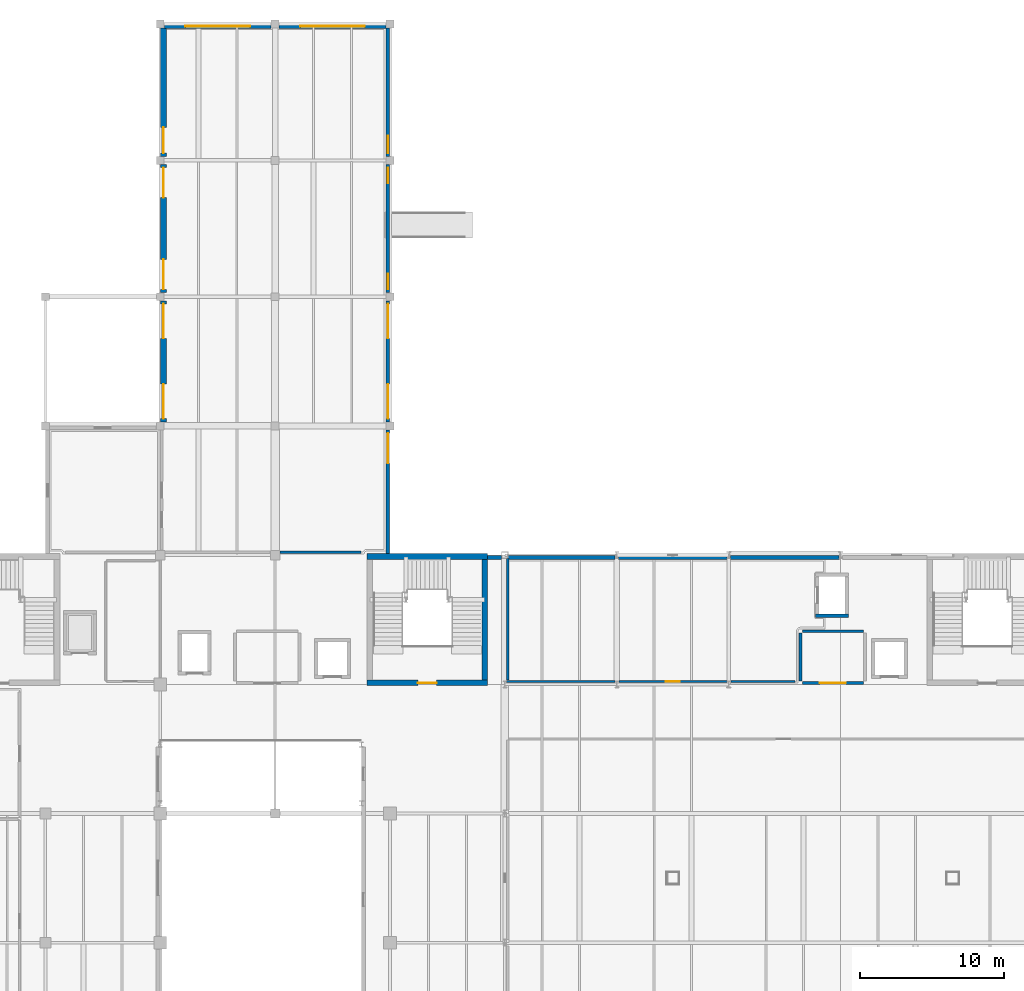
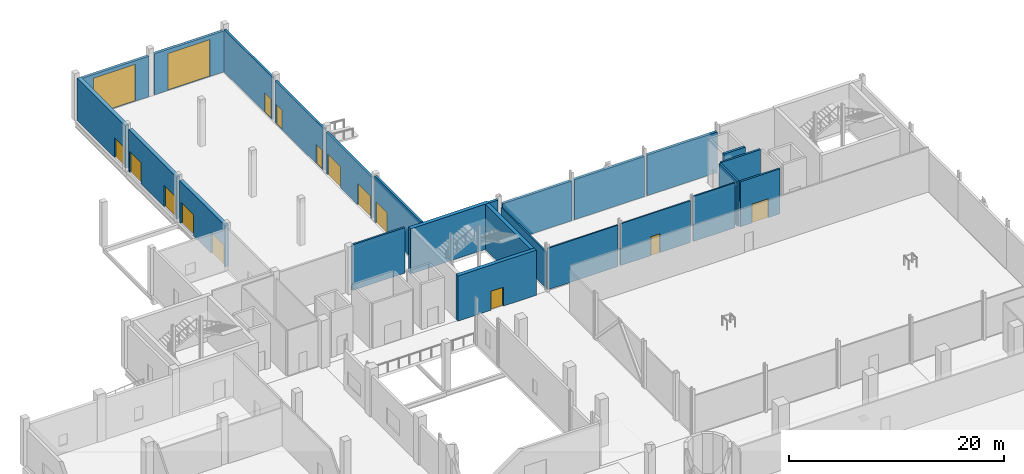
# One storey, part 45 of 57: 25 walls, 16 doors, 16 openings.
"""IFC4 building model written with IfcOpenShell, lengths in metres."""

import ifcopenshell
import ifcopenshell.guid

model = None  # the IFC model being written
_history = None  # IfcOwnerHistory: only IFC2X3 demands one
_inside = {}  # id of a spatial element -> (the spatial element, [elements in it])
_under = {}  # id of a project, library or spatial element -> (it, [spatial elements below it])
_declared = {}  # id of a project -> (the project, [libraries it declares])
_typed = {}  # id of a type object -> (the type object, [elements of that type])
_made_of = {}  # id of a material, layer set ... -> (it, [elements and type objects made of it])


def new_model(schema):
    """Start an empty IFC model of exactly this schema.

    Asked for "IFC4X3", IfcOpenShell would pick the latest addendum, in which some entities
    have other attributes; the version numbers below select the first issue.
    IFC2X3 requires an IfcOwnerHistory on every rooted entity: one is made here for all.
    """
    global model, _history
    if schema == "IFC4X3":
        model = ifcopenshell.file(schema_version=(4, 3, 0, 0))
    else:
        model = ifcopenshell.file(schema=schema)
    _inside.clear()
    _under.clear()
    _declared.clear()
    _typed.clear()
    _made_of.clear()
    _history = None
    if model.schema == "IFC2X3":
        org = make("IfcOrganization", Name="unknown")
        user = make(
            "IfcPersonAndOrganization",
            ThePerson=make("IfcPerson", FamilyName="unknown"),
            TheOrganization=org,
        )
        app = make(
            "IfcApplication",
            ApplicationDeveloper=org,
            Version="unknown",
            ApplicationFullName="unknown",
            ApplicationIdentifier="unknown",
        )
        _history = make(
            "IfcOwnerHistory",
            OwningUser=user,
            OwningApplication=app,
            ChangeAction="ADDED",
            CreationDate=0,
        )
    return model


def make(cls, **values):
    """One entity of the class cls with the attributes given. An attribute that is None is left unset."""
    return model.create_entity(
        cls, **{name: value for name, value in values.items() if value is not None}
    )


def rooted(cls, **values):
    """An entity with a GlobalId (a new one), such as an element, a storey or a relation."""
    return make(cls, GlobalId=ifcopenshell.guid.new(), OwnerHistory=_history, **values)


def si_unit(unit_type, name, prefix=None):
    """IfcSIUnit, for example si_unit("LENGTHUNIT", "METRE", prefix="MILLI")."""
    return make("IfcSIUnit", UnitType=unit_type, Prefix=prefix, Name=name)


def derived_unit(unit_type, elements):
    """IfcDerivedUnit: a product of units, each with its exponent."""
    return make(
        "IfcDerivedUnit",
        Elements=[
            make("IfcDerivedUnitElement", Unit=unit, Exponent=power)
            for unit, power in elements
        ],
        UnitType=unit_type,
    )


def assignment(units):
    """IfcUnitAssignment: the units of a project."""
    return None if units is None else make("IfcUnitAssignment", Units=units)


def point(xyz):
    """IfcCartesianPoint."""
    return None if xyz is None else make("IfcCartesianPoint", Coordinates=xyz)


def direction(xyz):
    """IfcDirection."""
    return None if xyz is None else make("IfcDirection", DirectionRatios=xyz)


def frame(location, z_axis=None, x_axis=None):
    """IfcAxis2Placement3D, a coordinate frame: its origin and axes. An axis left out is left unset."""
    return make(
        "IfcAxis2Placement3D",
        Location=point(location),
        Axis=direction(z_axis),
        RefDirection=direction(x_axis),
    )


def frame_2d(location, x_axis=None):
    """IfcAxis2Placement2D, a coordinate frame in the plane: its origin and x axis."""
    return make(
        "IfcAxis2Placement2D", Location=point(location), RefDirection=direction(x_axis)
    )


def origin():
    """The frame at (0, 0, 0) with its axes left unset."""
    return frame((0.0, 0.0, 0.0))


def place(relative_to, where):
    """IfcLocalPlacement: puts the frame where relative to a parent placement (None: the world)."""
    return make(
        "IfcLocalPlacement", PlacementRelTo=relative_to, RelativePlacement=where
    )


def context(
    kind, dimensions, precision=None, world=None, true_north=None, identifier=None
):
    """IfcGeometricRepresentationContext, for example the 3D "Model" context."""
    return make(
        "IfcGeometricRepresentationContext",
        ContextIdentifier=identifier,
        ContextType=kind,
        CoordinateSpaceDimension=dimensions,
        Precision=precision,
        WorldCoordinateSystem=world,
        TrueNorth=true_north,
    )


def subcontext(parent, identifier, kind, view, scale=None):
    """IfcGeometricRepresentationSubContext, for example "Body" below "Model"."""
    return make(
        "IfcGeometricRepresentationSubContext",
        ContextIdentifier=identifier,
        ContextType=kind,
        ParentContext=parent,
        TargetScale=scale,
        TargetView=view,
    )


def project(units=None, contexts=None):
    """IfcProject with its units and contexts."""
    return rooted(
        "IfcProject",
        Name="project",
        RepresentationContexts=contexts,
        UnitsInContext=assignment(units),
    )


def spatial(cls, under=None, at=None, **own):
    """A site, building, storey or space (cls), placed at a placement, below another one or the project."""
    s = rooted(cls, ObjectPlacement=at, **own)
    if under is not None:
        _under.setdefault(under.id(), (under, []))[1].append(s)
    return s


def profile(cls, at=None, kind="AREA", **sizes):
    """A parametric profile (cls). Its sizes go by their IFC names, for example OverallWidth=200.0."""
    return make(cls, ProfileType=kind, Position=at, **sizes)


def rectangle(**sizes):
    """IfcRectangleProfileDef."""
    return profile("IfcRectangleProfileDef", **sizes)


def extrude(swept, where, along, depth):
    """IfcExtrudedAreaSolid: the profile swept, set in the frame where, extruded along a direction by depth."""
    return make(
        "IfcExtrudedAreaSolid",
        SweptArea=swept,
        Position=where,
        ExtrudedDirection=direction(along),
        Depth=depth,
    )


def shape(context_of_items, identifier, shape_type, items):
    """IfcShapeRepresentation: the items that make up one representation, for example the "Body"."""
    return make(
        "IfcShapeRepresentation",
        ContextOfItems=context_of_items,
        RepresentationIdentifier=identifier,
        RepresentationType=shape_type,
        Items=items,
    )


def material(Name=None, Category=None):
    """IfcMaterial."""
    return make("IfcMaterial", Name=Name, Category=Category)


def layer(
    of_material, thickness, ventilated=None, Name=None, Category=None, Priority=None
):
    """IfcMaterialLayer: one layer of a wall or slab, of a material (None: an air gap)."""
    return make(
        "IfcMaterialLayer",
        Material=of_material,
        LayerThickness=thickness,
        IsVentilated=ventilated,
        Name=Name,
        Category=Category,
        Priority=Priority,
    )


def layer_set(layers, Name=None):
    """IfcMaterialLayerSet."""
    return make("IfcMaterialLayerSet", MaterialLayers=layers, LayerSetName=Name)


def made_of(thing, what):
    """Note that an element or type object is made of a material, layer set ...; save() writes the relation."""
    if what is not None:
        _made_of.setdefault(what.id(), (what, []))[1].append(thing)
    return thing


def type_object(cls, material=None, **own):
    """A type object (cls), such as IfcWallType, which elements share."""
    return made_of(rooted(cls, **own), material)


def element(
    cls,
    number,
    at=None,
    inside=None,
    cuts=None,
    type_object=None,
    material=None,
    context=None,
    identifier="Body",
    shape_type=None,
    held_by="IfcProductDefinitionShape",
    body=None,
    shapes=None,
    **own,
):
    """One element of the class cls, such as IfcWall. Its Tag is "e" and its number.

    at: its placement. inside: the storey or other place that contains it. cuts: it is an
    opening in that element (IfcRelVoidsElement). A single representation is given by context,
    identifier, shape_type and body (its items); several are given by shapes. held_by: the class
    of the entity that holds the representations. save() writes the other relations.
    """
    e = rooted(cls, Tag="e%d" % number, ObjectPlacement=at, **own)
    if body is not None:
        shapes = [shape(context, identifier, shape_type, body)]
    if shapes is not None:
        e.Representation = make(held_by, Representations=shapes)
    if inside is not None:
        _inside.setdefault(inside.id(), (inside, []))[1].append(e)
    if cuts is not None:
        rooted(
            "IfcRelVoidsElement", RelatingBuildingElement=cuts, RelatedOpeningElement=e
        )
    if type_object is not None:
        _typed.setdefault(type_object.id(), (type_object, []))[1].append(e)
    return made_of(e, material)


def fill(opening, filler):
    """IfcRelFillsElement: the door or window that sits in an opening."""
    return rooted(
        "IfcRelFillsElement",
        RelatingOpeningElement=opening,
        RelatedBuildingElement=filler,
    )


def aggregate(whole, parts):
    """IfcRelAggregates: a whole, such as a stair, and the parts it consists of."""
    return rooted("IfcRelAggregates", RelatingObject=whole, RelatedObjects=parts)


def save(model, path):
    """Write the relations noted so far, then the file.

    IfcRelAggregates (storeys below a building ...), IfcRelContainedInSpatialStructure (elements
    in a storey), IfcRelDefinesByType, IfcRelAssociatesMaterial and IfcRelDeclares: one each for
    every whole, place, type object, material and project.
    """
    for whole, parts in _under.values():
        aggregate(whole, parts)
    for where, things in _inside.values():
        rooted(
            "IfcRelContainedInSpatialStructure",
            RelatedElements=things,
            RelatingStructure=where,
        )
    for kind, things in _typed.values():
        rooted("IfcRelDefinesByType", RelatedObjects=things, RelatingType=kind)
    for what, things in _made_of.values():
        rooted("IfcRelAssociatesMaterial", RelatedObjects=things, RelatingMaterial=what)
    for by, libraries in _declared.values():
        rooted("IfcRelDeclares", RelatingContext=by, RelatedDefinitions=libraries)
    model.write(path)


model = new_model("IFC4")

# Units and contexts
model_context = context("Model", 3, precision=1e-05, world=origin(), true_north=direction((0.0, 1.0)))
body_context = subcontext(model_context, "Body", "Model", "MODEL_VIEW")
ifc_project = project(units=[si_unit("LENGTHUNIT", "METRE"), si_unit("AREAUNIT", "SQUARE_METRE"), si_unit("VOLUMEUNIT", "CUBIC_METRE"), si_unit("PLANEANGLEUNIT", "RADIAN"), si_unit("MASSUNIT", "GRAM", prefix="KILO"), derived_unit("THERMALTRANSMITTANCEUNIT", [(si_unit("POWERUNIT", "WATT"), 1), (si_unit("LENGTHUNIT", "METRE"), -2), (si_unit("THERMODYNAMICTEMPERATUREUNIT", "KELVIN"), -1)])], contexts=[model_context])

# Site, building, storey
site_placement = place(None, origin())
site = spatial("IfcSite", under=ifc_project, at=site_placement, CompositionType="ELEMENT")
building_placement = place(site_placement, origin())
building = spatial("IfcBuilding", under=site, at=building_placement, Name="Nallur Shell Playhouse", CompositionType="ELEMENT")
storey_placement = place(building_placement, origin())
storey = spatial("IfcBuildingStorey", under=building, at=storey_placement, Name="L01", CompositionType="ELEMENT", Elevation=0.0)

# Wall, opening, door
ifc_material_1 = material(Name="Concrete M45", Category="concrete")
ifc_layer_1 = layer(ifc_material_1, 0.39990234375)
ifc_layer_set_1 = layer_set([ifc_layer_1], Name="Concrete M45")
wall_type_1 = type_object("IfcWallType", Name="WL-CORE-400", PredefinedType="SHEAR", material=ifc_layer_set_1)
wall_1_placement = place(storey_placement, frame((54.39990234375, 74.10009765625, 0.0), z_axis=(0.0, 0.0, 1.0), x_axis=(1.0, 0.0, 0.0)))
wall_1 = element("IfcWall", 1, at=wall_1_placement, inside=storey, type_object=wall_type_1, Name="Joint Core JC-3 shear wall S (L01)", PredefinedType="SHEAR", context=body_context, shape_type="SweptSolid", body=[
    extrude(rectangle(XDim=8.400146484375, YDim=0.39990234375, at=frame_2d((4.2001953125, 0.0))), origin(), (0.0, 0.0, 1.0), 5.1201171875),
])
opening_1_placement = place(wall_1_placement, frame((3.550048828125, 0.0, 0.0)))
opening_1 = element("IfcOpeningElement", 2, at=opening_1_placement, cuts=wall_1, Name="Opening FD-ST2", PredefinedType="OPENING", context=body_context, shape_type="SweptSolid", body=[
    extrude(rectangle(XDim=1.300048828125, YDim=2.14990234375, at=frame_2d((0.64990234375, 1.074951171875))), frame((0.0, 0.2099609375, 0.0), z_axis=(0.0, -1.0, 0.0), x_axis=(1.0, 0.0, 0.0)), (0.0, 0.0, 1.0), 0.419921875),
])
ifc_material_2 = material(Name="Galvanised Steel Fire-Rated Stair Door", Category="steel")
door_type_1 = type_object("IfcDoorType", Name="DR-INT-STAIR-R", OperationType="SINGLE_SWING_RIGHT", PredefinedType="DOOR", material=ifc_material_2)
door_1_placement = place(opening_1_placement, origin())
door_1 = element("IfcDoor", 3, at=door_1_placement, inside=storey, type_object=door_type_1, Name="Exit stair ST-03 fire door (L01)", OperationType="SINGLE_SWING_RIGHT", OverallHeight=2.14990234375, OverallWidth=1.300048828125, PredefinedType="DOOR", context=body_context, shape_type="SweptSolid", body=[
    extrude(rectangle(XDim=1.300048828125, YDim=2.14990234375, at=frame_2d((0.64990234375, 1.074951171875))), frame((0.0, 0.02490234375, 0.0), z_axis=(0.0, -1.0, 0.0), x_axis=(1.0, 0.0, 0.0)), (0.0, 0.0, 1.0), 0.050048828125),
])
fill(opening_1, door_1)

# Walls
wall_2_placement = place(storey_placement, frame((62.800048828125, 82.89990234375, 0.0), z_axis=(0.0, 0.0, 1.0), x_axis=(-1.0, 0.0, 0.0)))
element("IfcWall", 4, at=wall_2_placement, inside=storey, type_object=wall_type_1, Name="Joint Core JC-3 shear wall N (L01)", PredefinedType="SHEAR", context=body_context, shape_type="SweptSolid", body=[
    extrude(rectangle(XDim=8.400146484375, YDim=0.39990234375, at=frame_2d((4.2001953125, 0.0))), origin(), (0.0, 0.0, 1.0), 5.1201171875),
])
wall_3_placement = place(storey_placement, frame((62.60009765625, 74.31005859375, 0.0), z_axis=(0.0, 0.0, 1.0), x_axis=(0.0, 1.0, 0.0)))
element("IfcWall", 5, at=wall_3_placement, inside=storey, type_object=wall_type_1, Name="Joint Core JC-3 shear wall E (L01)", PredefinedType="SHEAR", context=body_context, shape_type="SweptSolid", body=[
    extrude(rectangle(XDim=8.3798828125, YDim=0.39990234375, at=frame_2d((4.18994140625, 0.0))), origin(), (0.0, 0.0, 1.0), 5.1201171875),
])

# Wall, opening, door
ifc_material_3 = material(Name="Precast concrete M40", Category="concrete")
ifc_layer_2 = layer(ifc_material_3, 0.239990234375)
ifc_layer_set_2 = layer_set([ifc_layer_2], Name="Precast concrete M40")
wall_type_2 = type_object("IfcWallType", Name="WL-EXT-CLAD240", PredefinedType="ELEMENTEDWALL", material=ifc_layer_set_2)
wall_4_placement = place(storey_placement, frame((55.860107421875, 119.717041015625, 0.0), z_axis=(0.0, 0.0, 1.0), x_axis=(0.0, -1.0, 0.0)))
wall_4 = element("IfcWall", 6, at=wall_4_placement, inside=storey, type_object=wall_type_2, Name="L01 exterior wall EW-L01-011", PredefinedType="ELEMENTEDWALL", context=body_context, shape_type="SweptSolid", body=[
    extrude(rectangle(XDim=8.93408203125, YDim=0.239990234375, at=frame_2d((4.467041015625, 0.0))), origin(), (0.0, 0.0, 1.0), 4.804931640625),
])
opening_2_placement = place(wall_4_placement, frame((7.513916015625, 0.0, 0.0)))
opening_2 = element("IfcOpeningElement", 7, at=opening_2_placement, cuts=wall_4, Name="Opening ED-04", PredefinedType="OPENING", context=body_context, shape_type="SweptSolid", body=[
    extrude(rectangle(XDim=1.199951171875, YDim=2.199951171875, at=frame_2d((0.60009765625, 1.10009765625))), frame((0.0, 0.1298828125, 0.0), z_axis=(0.0, -1.0, 0.0), x_axis=(1.0, 0.0, 0.0)), (0.0, 0.0, 1.0), 0.260009765625),
])
ifc_material_4 = material(Name="Galvanised Steel Exterior Exit Door", Category="steel")
door_type_2 = type_object("IfcDoorType", Name="DR-EXT-SGL1200", OperationType="SINGLE_SWING_LEFT", PredefinedType="DOOR", material=ifc_material_4)
door_2_placement = place(opening_2_placement, origin())
door_2 = element("IfcDoor", 8, at=door_2_placement, inside=storey, type_object=door_type_2, Name="Ground floor exterior exit door ED-L01-06", OperationType="SINGLE_SWING_LEFT", OverallHeight=2.199951171875, OverallWidth=1.199951171875, PredefinedType="DOOR", context=body_context, shape_type="SweptSolid", body=[
    extrude(rectangle(XDim=1.199951171875, YDim=2.199951171875, at=frame_2d((0.60009765625, 1.10009765625))), frame((0.0, 0.02490234375, 0.0), z_axis=(0.0, -1.0, 0.0), x_axis=(1.0, 0.0, 0.0)), (0.0, 0.0, 1.0), 0.050048828125),
])
fill(opening_2, door_2)

# Wall, openings, doors
wall_5_placement = place(storey_placement, frame((55.860107421875, 110.217041015625, 0.0), z_axis=(0.0, 0.0, 1.0), x_axis=(0.0, -1.0, 0.0)))
wall_5 = element("IfcWall", 9, at=wall_5_placement, inside=storey, type_object=wall_type_2, Name="L01 exterior wall EW-L01-012", PredefinedType="ELEMENTEDWALL", context=body_context, shape_type="SweptSolid", body=[
    extrude(rectangle(XDim=8.93408203125, YDim=0.239990234375, at=frame_2d((4.467041015625, 0.0))), origin(), (0.0, 0.0, 1.0), 4.7548828125),
])
opening_3_placement = place(wall_5_placement, frame((0.219970703125, 0.0, 0.0)))
opening_3 = element("IfcOpeningElement", 10, at=opening_3_placement, cuts=wall_5, Name="Opening ED-05", PredefinedType="OPENING", context=body_context, shape_type="SweptSolid", body=[
    extrude(rectangle(XDim=1.10009765625, YDim=2.199951171875, at=frame_2d((0.550048828125, 1.10009765625))), frame((0.0, 0.1298828125, 0.0), z_axis=(0.0, -1.0, 0.0), x_axis=(1.0, 0.0, 0.0)), (0.0, 0.0, 1.0), 0.260009765625),
])
opening_4_placement = place(wall_5_placement, frame((7.614013671875, 0.0, 0.0)))
opening_4 = element("IfcOpeningElement", 11, at=opening_4_placement, cuts=wall_5, Name="Opening ED-05", PredefinedType="OPENING", context=body_context, shape_type="SweptSolid", body=[
    extrude(rectangle(XDim=1.10009765625, YDim=2.199951171875, at=frame_2d((0.550048828125, 1.10009765625))), frame((0.0, 0.1298828125, 0.0), z_axis=(0.0, -1.0, 0.0), x_axis=(1.0, 0.0, 0.0)), (0.0, 0.0, 1.0), 0.260009765625),
])
ifc_material_5 = material(Name="Galvanised Steel Exterior Service Door", Category="steel")
door_type_3 = type_object("IfcDoorType", Name="DR-EXT-SGL1100", OperationType="SINGLE_SWING_RIGHT", PredefinedType="DOOR", material=ifc_material_5)
door_3_placement = place(opening_3_placement, origin())
door_3 = element("IfcDoor", 12, at=door_3_placement, inside=storey, type_object=door_type_3, Name="Ground floor exterior exit door ED-L01-07", OperationType="SINGLE_SWING_RIGHT", OverallHeight=2.199951171875, OverallWidth=1.10009765625, PredefinedType="DOOR", context=body_context, shape_type="SweptSolid", body=[
    extrude(rectangle(XDim=1.10009765625, YDim=2.199951171875, at=frame_2d((0.550048828125, 1.10009765625))), frame((0.0, 0.02490234375, 0.0), z_axis=(0.0, -1.0, 0.0), x_axis=(1.0, 0.0, 0.0)), (0.0, 0.0, 1.0), 0.050048828125),
])
fill(opening_3, door_3)
door_4_placement = place(opening_4_placement, origin())
door_4 = element("IfcDoor", 13, at=door_4_placement, inside=storey, type_object=door_type_3, Name="Ground floor exterior exit door ED-L01-08", OperationType="SINGLE_SWING_RIGHT", OverallHeight=2.199951171875, OverallWidth=1.10009765625, PredefinedType="DOOR", context=body_context, shape_type="SweptSolid", body=[
    extrude(rectangle(XDim=1.10009765625, YDim=2.199951171875, at=frame_2d((0.550048828125, 1.10009765625))), frame((0.0, 0.02490234375, 0.0), z_axis=(0.0, -1.0, 0.0), x_axis=(1.0, 0.0, 0.0)), (0.0, 0.0, 1.0), 0.050048828125),
])
fill(opening_4, door_4)

wall_6_placement = place(storey_placement, frame((55.860107421875, 100.717041015625, 0.0), z_axis=(0.0, 0.0, 1.0), x_axis=(0.0, -1.0, 0.0)))
wall_6 = element("IfcWall", 14, at=wall_6_placement, inside=storey, type_object=wall_type_2, Name="L01 exterior wall EW-L01-013", PredefinedType="ELEMENTEDWALL", context=body_context, shape_type="SweptSolid", body=[
    extrude(rectangle(XDim=8.43408203125, YDim=0.239990234375, at=frame_2d((4.217041015625, 0.0))), origin(), (0.0, 0.0, 1.0), 4.705078125),
])
opening_5_placement = place(wall_6_placement, frame((0.219970703125, 0.0, 0.0)))
opening_5 = element("IfcOpeningElement", 15, at=opening_5_placement, cuts=wall_6, Name="Opening ED-01", PredefinedType="OPENING", context=body_context, shape_type="SweptSolid", body=[
    extrude(rectangle(XDim=2.39990234375, YDim=2.39990234375, at=frame_2d((1.199951171875, 1.199951171875))), frame((0.0, 0.1298828125, 0.0), z_axis=(0.0, -1.0, 0.0), x_axis=(1.0, 0.0, 0.0)), (0.0, 0.0, 1.0), 0.260009765625),
])
opening_6_placement = place(wall_6_placement, frame((5.81396484375, 0.0, 0.0)))
opening_6 = element("IfcOpeningElement", 16, at=opening_6_placement, cuts=wall_6, Name="Opening ED-01", PredefinedType="OPENING", context=body_context, shape_type="SweptSolid", body=[
    extrude(rectangle(XDim=2.39990234375, YDim=2.39990234375, at=frame_2d((1.199951171875, 1.199951171875))), frame((0.0, 0.1298828125, 0.0), z_axis=(0.0, -1.0, 0.0), x_axis=(1.0, 0.0, 0.0)), (0.0, 0.0, 1.0), 0.260009765625),
])
ifc_material_6 = material(Name="Anodised Aluminium Glazed Entrance Door", Category="aluminium")
door_type_4 = type_object("IfcDoorType", Name="DR-EXT-DBL2400", OperationType="DOUBLE_SWING_LEFT", PredefinedType="DOOR", material=ifc_material_6)
door_5_placement = place(opening_5_placement, origin())
door_5 = element("IfcDoor", 17, at=door_5_placement, inside=storey, type_object=door_type_4, Name="Ground floor exterior exit door ED-L01-09", OperationType="DOUBLE_SWING_LEFT", OverallHeight=2.39990234375, OverallWidth=2.39990234375, PredefinedType="DOOR", context=body_context, shape_type="SweptSolid", body=[
    extrude(rectangle(XDim=2.39990234375, YDim=2.39990234375, at=frame_2d((1.199951171875, 1.199951171875))), frame((0.0, 0.02490234375, 0.0), z_axis=(0.0, -1.0, 0.0), x_axis=(1.0, 0.0, 0.0)), (0.0, 0.0, 1.0), 0.050048828125),
])
fill(opening_5, door_5)
door_6_placement = place(opening_6_placement, origin())
door_6 = element("IfcDoor", 18, at=door_6_placement, inside=storey, type_object=door_type_4, Name="Ground floor exterior exit door ED-L01-10", OperationType="DOUBLE_SWING_LEFT", OverallHeight=2.39990234375, OverallWidth=2.39990234375, PredefinedType="DOOR", context=body_context, shape_type="SweptSolid", body=[
    extrude(rectangle(XDim=2.39990234375, YDim=2.39990234375, at=frame_2d((1.199951171875, 1.199951171875))), frame((0.0, 0.02490234375, 0.0), z_axis=(0.0, -1.0, 0.0), x_axis=(1.0, 0.0, 0.0)), (0.0, 0.0, 1.0), 0.050048828125),
])
fill(opening_6, door_6)

# Wall, opening, door
wall_7_placement = place(storey_placement, frame((55.860107421875, 91.717041015625, 0.0), z_axis=(0.0, 0.0, 1.0), x_axis=(0.0, -1.0, 0.0)))
wall_7 = element("IfcWall", 19, at=wall_7_placement, inside=storey, type_object=wall_type_2, Name="L01 exterior wall EW-L01-014", PredefinedType="ELEMENTEDWALL", context=body_context, shape_type="SweptSolid", body=[
    extrude(rectangle(XDim=8.613037109375, YDim=0.239990234375, at=frame_2d((4.306640625, 0.0))), origin(), (0.0, 0.0, 1.0), 5.179931640625),
])
opening_7_placement = place(wall_7_placement, frame((0.219970703125, 0.0, 0.0)))
opening_7 = element("IfcOpeningElement", 20, at=opening_7_placement, cuts=wall_7, Name="Opening ED-02", PredefinedType="OPENING", context=body_context, shape_type="SweptSolid", body=[
    extrude(rectangle(XDim=2.10009765625, YDim=2.39990234375, at=frame_2d((1.050048828125, 1.199951171875))), frame((0.0, 0.1298828125, 0.0), z_axis=(0.0, -1.0, 0.0), x_axis=(1.0, 0.0, 0.0)), (0.0, 0.0, 1.0), 0.260009765625),
])
door_type_5 = type_object("IfcDoorType", Name="DR-EXT-DBL2100", OperationType="DOUBLE_SWING_RIGHT", PredefinedType="DOOR", material=ifc_material_6)
door_7_placement = place(opening_7_placement, origin())
door_7 = element("IfcDoor", 21, at=door_7_placement, inside=storey, type_object=door_type_5, Name="Ground floor exterior exit door ED-L01-11", OperationType="DOUBLE_SWING_RIGHT", OverallHeight=2.39990234375, OverallWidth=2.10009765625, PredefinedType="DOOR", context=body_context, shape_type="SweptSolid", body=[
    extrude(rectangle(XDim=2.10009765625, YDim=2.39990234375, at=frame_2d((1.050048828125, 1.199951171875))), frame((0.0, 0.02490234375, 0.0), z_axis=(0.0, -1.0, 0.0), x_axis=(1.0, 0.0, 0.0)), (0.0, 0.0, 1.0), 0.050048828125),
])
fill(opening_7, door_7)

ifc_material_7 = material(Name="Concrete M30", Category="concrete")
ifc_layer_3 = layer(ifc_material_7, 0.280029296875)
ifc_layer_set_3 = layer_set([ifc_layer_3], Name="Concrete M30")
wall_type_3 = type_object("IfcWallType", Name="WL-EXT-INS280", PredefinedType="STANDARD", material=ifc_layer_set_3)
wall_8_placement = place(storey_placement, frame((40.282958984375, 119.840087890625, 0.0), z_axis=(0.0, 0.0, 1.0), x_axis=(1.0, 0.0, 0.0)))
wall_8 = element("IfcWall", 22, at=wall_8_placement, inside=storey, type_object=wall_type_3, Name="L01 exterior wall EW-L01-009", PredefinedType="STANDARD", context=body_context, shape_type="SweptSolid", body=[
    extrude(rectangle(XDim=7.43408203125, YDim=0.280029296875, at=frame_2d((3.717041015625, 0.0))), origin(), (0.0, 0.0, 1.0), 4.60498046875),
])
opening_8_placement = place(wall_8_placement, frame((1.467041015625, 0.0, 0.0)))
opening_8 = element("IfcOpeningElement", 23, at=opening_8_placement, cuts=wall_8, Name="Opening RS-01", PredefinedType="OPENING", context=body_context, shape_type="SweptSolid", body=[
    extrude(rectangle(XDim=4.5, YDim=4.199951171875, at=frame_2d((2.25, 2.10009765625))), frame((0.0, 0.14990234375, 0.0), z_axis=(0.0, -1.0, 0.0), x_axis=(1.0, 0.0, 0.0)), (0.0, 0.0, 1.0), 0.300048828125),
])
ifc_material_8 = material(Name="Acoustic Insulated Scenery Dock Roller Shutter")
door_type_6 = type_object("IfcDoorType", Name="DR-SHUTTER-4500", OperationType="ROLLINGUP", PredefinedType="GATE", material=ifc_material_8)
door_8_placement = place(opening_8_placement, origin())
door_8 = element("IfcDoor", 24, at=door_8_placement, inside=storey, type_object=door_type_6, Name="Acoustic lorry dock roller shutter 01", OperationType="ROLLINGUP", OverallHeight=4.199951171875, OverallWidth=4.5, PredefinedType="GATE", context=body_context, shape_type="SweptSolid", body=[
    extrude(rectangle(XDim=4.5, YDim=4.199951171875, at=frame_2d((2.25, 2.10009765625))), frame((0.0, 0.02490234375, 0.0), z_axis=(0.0, -1.0, 0.0), x_axis=(1.0, 0.0, 0.0)), (0.0, 0.0, 1.0), 0.050048828125),
])
fill(opening_8, door_8)

wall_9_placement = place(storey_placement, frame((48.282958984375, 119.840087890625, 0.0), z_axis=(0.0, 0.0, 1.0), x_axis=(1.0, 0.0, 0.0)))
wall_9 = element("IfcWall", 25, at=wall_9_placement, inside=storey, type_object=wall_type_3, Name="L01 exterior wall EW-L01-010", PredefinedType="STANDARD", context=body_context, shape_type="SweptSolid", body=[
    extrude(rectangle(XDim=7.43408203125, YDim=0.280029296875, at=frame_2d((3.717041015625, 0.0))), origin(), (0.0, 0.0, 1.0), 4.655029296875),
])
opening_9_placement = place(wall_9_placement, frame((1.467041015625, 0.0, 0.0)))
opening_9 = element("IfcOpeningElement", 26, at=opening_9_placement, cuts=wall_9, Name="Opening RS-01", PredefinedType="OPENING", context=body_context, shape_type="SweptSolid", body=[
    extrude(rectangle(XDim=4.5, YDim=4.199951171875, at=frame_2d((2.25, 2.10009765625))), frame((0.0, 0.14990234375, 0.0), z_axis=(0.0, -1.0, 0.0), x_axis=(1.0, 0.0, 0.0)), (0.0, 0.0, 1.0), 0.300048828125),
])
door_9_placement = place(opening_9_placement, origin())
door_9 = element("IfcDoor", 27, at=door_9_placement, inside=storey, type_object=door_type_6, Name="Acoustic lorry dock roller shutter 02", OperationType="ROLLINGUP", OverallHeight=4.199951171875, OverallWidth=4.5, PredefinedType="GATE", context=body_context, shape_type="SweptSolid", body=[
    extrude(rectangle(XDim=4.5, YDim=4.199951171875, at=frame_2d((2.25, 2.10009765625))), frame((0.0, 0.02490234375, 0.0), z_axis=(0.0, -1.0, 0.0), x_axis=(1.0, 0.0, 0.0)), (0.0, 0.0, 1.0), 0.050048828125),
])
fill(opening_9, door_9)

# Walls
wall_10_placement = place(storey_placement, frame((62.803955078125, 82.840087890625, 0.0), z_axis=(0.0, 0.0, 1.0), x_axis=(1.0, 0.0, 0.0)))
element("IfcWall", 28, at=wall_10_placement, inside=storey, type_object=wall_type_3, Name="L01 exterior wall EW-L01-015", PredefinedType="STANDARD", context=body_context, shape_type="SweptSolid", body=[
    extrude(rectangle(XDim=0.963134765625, YDim=0.280029296875, at=frame_2d((0.4814453125, 0.0))), origin(), (0.0, 0.0, 1.0), 5.1201171875),
])
wall_11_placement = place(storey_placement, frame((64.23291015625, 82.840087890625, 0.0), z_axis=(0.0, 0.0, 1.0), x_axis=(1.0, 0.0, 0.0)))
element("IfcWall", 29, at=wall_11_placement, inside=storey, type_object=wall_type_3, Name="L01 exterior wall EW-L01-016", PredefinedType="STANDARD", context=body_context, shape_type="SweptSolid", body=[
    extrude(rectangle(XDim=7.43408203125, YDim=0.280029296875, at=frame_2d((3.717041015625, 0.0))), origin(), (0.0, 0.0, 1.0), 4.5048828125),
])
wall_12_placement = place(storey_placement, frame((71.93310546875, 82.840087890625, 0.0), z_axis=(0.0, 0.0, 1.0), x_axis=(1.0, 0.0, 0.0)))
element("IfcWall", 30, at=wall_12_placement, inside=storey, type_object=wall_type_3, Name="L01 exterior wall EW-L01-017", PredefinedType="STANDARD", context=body_context, shape_type="SweptSolid", body=[
    extrude(rectangle(XDim=7.533935546875, YDim=0.280029296875, at=frame_2d((3.76708984375, 0.0))), origin(), (0.0, 0.0, 1.0), 4.554931640625),
])
wall_13_placement = place(storey_placement, frame((79.73291015625, 82.840087890625, 0.0), z_axis=(0.0, 0.0, 1.0), x_axis=(1.0, 0.0, 0.0)))
element("IfcWall", 31, at=wall_13_placement, inside=storey, type_object=wall_type_3, Name="L01 exterior wall EW-L01-018", PredefinedType="STANDARD", context=body_context, shape_type="SweptSolid", body=[
    extrude(rectangle(XDim=7.5341796875, YDim=0.280029296875, at=frame_2d((3.76708984375, 0.0))), origin(), (0.0, 0.0, 1.0), 4.60498046875),
])

# Wall, openings, doors
ifc_material_9 = material(Name="Concrete M40", Category="concrete")
ifc_layer_4 = layer(ifc_material_9, 0.39990234375)
ifc_layer_set_4 = layer_set([ifc_layer_4], Name="Concrete M40")
wall_type_4 = type_object("IfcWallType", Name="WL-EXT-RC400", PredefinedType="STANDARD", material=ifc_layer_set_4)
wall_14_placement = place(storey_placement, frame((40.219970703125, 92.282958984375, 0.0), z_axis=(0.0, 0.0, 1.0), x_axis=(0.0, 1.0, 0.0)))
wall_14 = element("IfcWall", 32, at=wall_14_placement, inside=storey, type_object=wall_type_4, Name="L01 exterior wall EW-L01-006", PredefinedType="STANDARD", context=body_context, shape_type="SweptSolid", body=[
    extrude(rectangle(XDim=8.43408203125, YDim=0.39990234375, at=frame_2d((4.217041015625, 0.0))), origin(), (0.0, 0.0, 1.0), 4.705078125),
])
opening_10_placement = place(wall_14_placement, frame((0.219970703125, 0.0, 0.0)))
opening_10 = element("IfcOpeningElement", 33, at=opening_10_placement, cuts=wall_14, Name="Opening ED-01", PredefinedType="OPENING", context=body_context, shape_type="SweptSolid", body=[
    extrude(rectangle(XDim=2.39990234375, YDim=2.39990234375, at=frame_2d((1.199951171875, 1.199951171875))), frame((0.0, 0.2099609375, 0.0), z_axis=(0.0, -1.0, 0.0), x_axis=(1.0, 0.0, 0.0)), (0.0, 0.0, 1.0), 0.419921875),
])
opening_11_placement = place(wall_14_placement, frame((5.81396484375, 0.0, 0.0)))
opening_11 = element("IfcOpeningElement", 34, at=opening_11_placement, cuts=wall_14, Name="Opening ED-01", PredefinedType="OPENING", context=body_context, shape_type="SweptSolid", body=[
    extrude(rectangle(XDim=2.39990234375, YDim=2.39990234375, at=frame_2d((1.199951171875, 1.199951171875))), frame((0.0, 0.2099609375, 0.0), z_axis=(0.0, -1.0, 0.0), x_axis=(1.0, 0.0, 0.0)), (0.0, 0.0, 1.0), 0.419921875),
])
door_10_placement = place(opening_10_placement, origin())
door_10 = element("IfcDoor", 35, at=door_10_placement, inside=storey, type_object=door_type_4, Name="Ground floor exterior exit door ED-L01-01", OperationType="DOUBLE_SWING_LEFT", OverallHeight=2.39990234375, OverallWidth=2.39990234375, PredefinedType="DOOR", context=body_context, shape_type="SweptSolid", body=[
    extrude(rectangle(XDim=2.39990234375, YDim=2.39990234375, at=frame_2d((1.199951171875, 1.199951171875))), frame((0.0, 0.02490234375, 0.0), z_axis=(0.0, -1.0, 0.0), x_axis=(1.0, 0.0, 0.0)), (0.0, 0.0, 1.0), 0.050048828125),
])
fill(opening_10, door_10)
door_11_placement = place(opening_11_placement, origin())
door_11 = element("IfcDoor", 36, at=door_11_placement, inside=storey, type_object=door_type_4, Name="Ground floor exterior exit door ED-L01-02", OperationType="DOUBLE_SWING_LEFT", OverallHeight=2.39990234375, OverallWidth=2.39990234375, PredefinedType="DOOR", context=body_context, shape_type="SweptSolid", body=[
    extrude(rectangle(XDim=2.39990234375, YDim=2.39990234375, at=frame_2d((1.199951171875, 1.199951171875))), frame((0.0, 0.02490234375, 0.0), z_axis=(0.0, -1.0, 0.0), x_axis=(1.0, 0.0, 0.0)), (0.0, 0.0, 1.0), 0.050048828125),
])
fill(opening_11, door_11)

wall_15_placement = place(storey_placement, frame((40.219970703125, 101.282958984375, 0.0), z_axis=(0.0, 0.0, 1.0), x_axis=(0.0, 1.0, 0.0)))
wall_15 = element("IfcWall", 37, at=wall_15_placement, inside=storey, type_object=wall_type_4, Name="L01 exterior wall EW-L01-007", PredefinedType="STANDARD", context=body_context, shape_type="SweptSolid", body=[
    extrude(rectangle(XDim=8.93408203125, YDim=0.39990234375, at=frame_2d((4.467041015625, 0.0))), origin(), (0.0, 0.0, 1.0), 4.7548828125),
])
opening_12_placement = place(wall_15_placement, frame((0.219970703125, 0.0, 0.0)))
opening_12 = element("IfcOpeningElement", 38, at=opening_12_placement, cuts=wall_15, Name="Opening ED-02", PredefinedType="OPENING", context=body_context, shape_type="SweptSolid", body=[
    extrude(rectangle(XDim=2.10009765625, YDim=2.39990234375, at=frame_2d((1.050048828125, 1.199951171875))), frame((0.0, 0.2099609375, 0.0), z_axis=(0.0, -1.0, 0.0), x_axis=(1.0, 0.0, 0.0)), (0.0, 0.0, 1.0), 0.419921875),
])
opening_13_placement = place(wall_15_placement, frame((6.614013671875, 0.0, 0.0)))
opening_13 = element("IfcOpeningElement", 39, at=opening_13_placement, cuts=wall_15, Name="Opening ED-02", PredefinedType="OPENING", context=body_context, shape_type="SweptSolid", body=[
    extrude(rectangle(XDim=2.10009765625, YDim=2.39990234375, at=frame_2d((1.050048828125, 1.199951171875))), frame((0.0, 0.2099609375, 0.0), z_axis=(0.0, -1.0, 0.0), x_axis=(1.0, 0.0, 0.0)), (0.0, 0.0, 1.0), 0.419921875),
])
door_12_placement = place(opening_12_placement, origin())
door_12 = element("IfcDoor", 40, at=door_12_placement, inside=storey, type_object=door_type_5, Name="Ground floor exterior exit door ED-L01-03", OperationType="DOUBLE_SWING_RIGHT", OverallHeight=2.39990234375, OverallWidth=2.10009765625, PredefinedType="DOOR", context=body_context, shape_type="SweptSolid", body=[
    extrude(rectangle(XDim=2.10009765625, YDim=2.39990234375, at=frame_2d((1.050048828125, 1.199951171875))), frame((0.0, 0.02490234375, 0.0), z_axis=(0.0, -1.0, 0.0), x_axis=(1.0, 0.0, 0.0)), (0.0, 0.0, 1.0), 0.050048828125),
])
fill(opening_12, door_12)
door_13_placement = place(opening_13_placement, origin())
door_13 = element("IfcDoor", 41, at=door_13_placement, inside=storey, type_object=door_type_5, Name="Ground floor exterior exit door ED-L01-04", OperationType="DOUBLE_SWING_RIGHT", OverallHeight=2.39990234375, OverallWidth=2.10009765625, PredefinedType="DOOR", context=body_context, shape_type="SweptSolid", body=[
    extrude(rectangle(XDim=2.10009765625, YDim=2.39990234375, at=frame_2d((1.050048828125, 1.199951171875))), frame((0.0, 0.02490234375, 0.0), z_axis=(0.0, -1.0, 0.0), x_axis=(1.0, 0.0, 0.0)), (0.0, 0.0, 1.0), 0.050048828125),
])
fill(opening_13, door_13)

# Wall, opening, door
wall_16_placement = place(storey_placement, frame((40.219970703125, 110.782958984375, 0.0), z_axis=(0.0, 0.0, 1.0), x_axis=(0.0, 1.0, 0.0)))
wall_16 = element("IfcWall", 42, at=wall_16_placement, inside=storey, type_object=wall_type_4, Name="L01 exterior wall EW-L01-008", PredefinedType="STANDARD", context=body_context, shape_type="SweptSolid", body=[
    extrude(rectangle(XDim=8.93408203125, YDim=0.39990234375, at=frame_2d((4.467041015625, 0.0))), origin(), (0.0, 0.0, 1.0), 4.804931640625),
])
opening_14_placement = place(wall_16_placement, frame((0.219970703125, 0.0, 0.0)))
opening_14 = element("IfcOpeningElement", 43, at=opening_14_placement, cuts=wall_16, Name="Opening ED-03", PredefinedType="OPENING", context=body_context, shape_type="SweptSolid", body=[
    extrude(rectangle(XDim=1.800048828125, YDim=2.25, at=frame_2d((0.89990234375, 1.125))), frame((0.0, 0.2099609375, 0.0), z_axis=(0.0, -1.0, 0.0), x_axis=(1.0, 0.0, 0.0)), (0.0, 0.0, 1.0), 0.419921875),
])
ifc_material_10 = material(Name="Galvanised Steel Emergency Exit Double Door", Category="steel")
door_type_7 = type_object("IfcDoorType", Name="DR-EXT-DBL1800", OperationType="DOUBLE_DOOR_SINGLE_SWING", PredefinedType="DOOR", material=ifc_material_10)
door_14_placement = place(opening_14_placement, origin())
door_14 = element("IfcDoor", 44, at=door_14_placement, inside=storey, type_object=door_type_7, Name="Ground floor exterior exit door ED-L01-05", OperationType="DOUBLE_DOOR_SINGLE_SWING", OverallHeight=2.25, OverallWidth=1.800048828125, PredefinedType="DOOR", context=body_context, shape_type="SweptSolid", body=[
    extrude(rectangle(XDim=1.800048828125, YDim=2.25, at=frame_2d((0.89990234375, 1.125))), frame((0.0, 0.02490234375, 0.0), z_axis=(0.0, -1.0, 0.0), x_axis=(1.0, 0.0, 0.0)), (0.0, 0.0, 1.0), 0.050048828125),
])
fill(opening_14, door_14)

# Walls
ifc_layer_5 = layer(ifc_material_7, 0.199951171875)
ifc_layer_set_5 = layer_set([ifc_layer_5], Name="Concrete M30")
wall_type_5 = type_object("IfcWallType", Name="WL-PART-AC200", PredefinedType="PARTITIONING", material=ifc_layer_set_5)
wall_17_placement = place(storey_placement, frame((84.60009765625, 74.219970703125, 0.0), z_axis=(0.0, 0.0, 1.0), x_axis=(0.0, 1.0, 0.0)))
element("IfcWall", 45, at=wall_17_placement, inside=storey, type_object=wall_type_5, Name="Firefighting Lobby JC-4 partition IW-L01-0035", PredefinedType="PARTITIONING", context=body_context, shape_type="SweptSolid", body=[
    extrude(rectangle(XDim=3.360107421875, YDim=0.199951171875, at=frame_2d((1.68017578125, 0.0))), origin(), (0.0, 0.0, 1.0), 5.110107421875),
])
wall_18_placement = place(storey_placement, frame((84.719970703125, 77.699951171875, 0.0), z_axis=(0.0, 0.0, 1.0), x_axis=(1.0, 0.0, 0.0)))
element("IfcWall", 46, at=wall_18_placement, inside=storey, type_object=wall_type_5, Name="Firefighting Lobby JC-4 partition IW-L01-0036", PredefinedType="PARTITIONING", context=body_context, shape_type="SweptSolid", body=[
    extrude(rectangle(XDim=4.260009765625, YDim=0.199951171875, at=frame_2d((2.1298828125, 0.0))), origin(), (0.0, 0.0, 1.0), 5.110107421875),
])

# Wall, opening, door
wall_19_placement = place(storey_placement, frame((88.97998046875, 74.10009765625, 0.0), z_axis=(0.0, 0.0, 1.0), x_axis=(-1.0, 0.0, 0.0)))
wall_19 = element("IfcWall", 47, at=wall_19_placement, inside=storey, type_object=wall_type_5, Name="Firefighting Lobby JC-4 partition IW-L01-0038", PredefinedType="PARTITIONING", context=body_context, shape_type="SweptSolid", body=[
    extrude(rectangle(XDim=4.260009765625, YDim=0.199951171875, at=frame_2d((2.1298828125, 0.0))), origin(), (0.0, 0.0, 1.0), 5.110107421875),
])
opening_15_placement = place(wall_19_placement, frame((1.22998046875, 0.0, 0.0)))
opening_15 = element("IfcOpeningElement", 48, at=opening_15_placement, cuts=wall_19, Name="Opening FD-FL1", PredefinedType="OPENING", context=body_context, shape_type="SweptSolid", body=[
    extrude(rectangle(XDim=1.800048828125, YDim=2.14990234375, at=frame_2d((0.89990234375, 1.074951171875))), frame((0.0, 0.10986328125, 0.0), z_axis=(0.0, -1.0, 0.0), x_axis=(1.0, 0.0, 0.0)), (0.0, 0.0, 1.0), 0.219970703125),
])
ifc_material_11 = material(Name="Firefighting Lobby Smoke-Seal Double Door")
door_type_8 = type_object("IfcDoorType", Name="DR-INT-FFL-DBL", OperationType="DOUBLE_DOOR_SINGLE_SWING", PredefinedType="DOOR", material=ifc_material_11)
door_15_placement = place(opening_15_placement, origin())
door_15 = element("IfcDoor", 49, at=door_15_placement, inside=storey, type_object=door_type_8, Name="Firefighting Lobby JC-4 smoke-seal door (L01)", OperationType="DOUBLE_DOOR_SINGLE_SWING", OverallHeight=2.14990234375, OverallWidth=1.800048828125, PredefinedType="DOOR", context=body_context, shape_type="SweptSolid", body=[
    extrude(rectangle(XDim=1.800048828125, YDim=2.14990234375, at=frame_2d((0.89990234375, 1.074951171875))), frame((0.0, 0.02490234375, 0.0), z_axis=(0.0, -1.0, 0.0), x_axis=(1.0, 0.0, 0.0)), (0.0, 0.0, 1.0), 0.050048828125),
])
fill(opening_15, door_15)

# Walls
wall_20_placement = place(storey_placement, frame((53.997314453125, 83.199951171875, 0.0), z_axis=(0.0, 0.0, 1.0), x_axis=(-1.0, 0.0, 0.0)))
element("IfcWall", 50, at=wall_20_placement, inside=storey, type_object=wall_type_5, Name="Carpentry & Timber Mill Workshop partition IW-L01-0098", PredefinedType="PARTITIONING", context=body_context, shape_type="SweptSolid", body=[
    extrude(rectangle(XDim=5.6572265625, YDim=0.199951171875, at=frame_2d((2.82861328125, 0.0))), origin(), (0.0, 0.0, 1.0), 5.169921875),
])
ifc_material_12 = material(Name="Concrete M25 Fire Blockwork", Category="masonry")
ifc_layer_6 = layer(ifc_material_12, 0.14990234375)
ifc_layer_set_6 = layer_set([ifc_layer_6], Name="Concrete M25 Fire Blockwork")
wall_type_6 = type_object("IfcWallType", Name="WL-PART-FR150", PredefinedType="PARTITIONING", material=ifc_layer_set_6)
wall_21_placement = place(storey_placement, frame((64.199951171875, 74.294921875, 0.0), z_axis=(0.0, 0.0, 1.0), x_axis=(0.0, 1.0, 0.0)))
element("IfcWall", 51, at=wall_21_placement, inside=storey, type_object=wall_type_6, Name="Double-Height Scenery Assembly Hall partition IW-L01-0094", PredefinedType="PARTITIONING", context=body_context, shape_type="SweptSolid", body=[
    extrude(rectangle(XDim=8.47607421875, YDim=0.14990234375, at=frame_2d((4.238037109375, 0.0))), origin(), (0.0, 0.0, 1.0), 4.10009765625),
])
wall_22_placement = place(storey_placement, frame((84.22509765625, 74.199951171875, 0.0), z_axis=(0.0, 0.0, 1.0), x_axis=(-1.0, 0.0, 0.0)))
element("IfcWall", 52, at=wall_22_placement, inside=storey, type_object=wall_type_6, Name="Double-Height Scenery Assembly Hall partition IW-L01-0095", PredefinedType="PARTITIONING", context=body_context, shape_type="SweptSolid", body=[
    extrude(rectangle(XDim=4.485107421875, YDim=0.14990234375, at=frame_2d((2.24267578125, 0.0))), origin(), (0.0, 0.0, 1.0), 5.110107421875),
])

# Wall, opening, door
wall_23_placement = place(storey_placement, frame((79.4599609375, 74.199951171875, 0.0), z_axis=(0.0, 0.0, 1.0), x_axis=(-1.0, 0.0, 0.0)))
wall_23 = element("IfcWall", 53, at=wall_23_placement, inside=storey, type_object=wall_type_6, Name="Double-Height Scenery Assembly Hall partition IW-L01-0096", PredefinedType="PARTITIONING", context=body_context, shape_type="SweptSolid", body=[
    extrude(rectangle(XDim=7.52001953125, YDim=0.14990234375, at=frame_2d((3.760009765625, 0.0))), origin(), (0.0, 0.0, 1.0), 4.75),
])
opening_16_placement = place(wall_23_placement, frame((3.284912109375, 0.0, 0.0)))
opening_16 = element("IfcOpeningElement", 54, at=opening_16_placement, cuts=wall_23, Name="Opening ID-04", PredefinedType="OPENING", context=body_context, shape_type="SweptSolid", body=[
    extrude(rectangle(XDim=0.949951171875, YDim=2.14990234375, at=frame_2d((0.47509765625, 1.074951171875))), frame((0.0, 0.0849609375, 0.0), z_axis=(0.0, -1.0, 0.0), x_axis=(1.0, 0.0, 0.0)), (0.0, 0.0, 1.0), 0.169921875),
])
ifc_material_13 = material(Name="Solid-Core Engineered Timber Door", Category="wood")
door_type_9 = type_object("IfcDoorType", Name="DR-INT-SGL950R", OperationType="SINGLE_SWING_RIGHT", PredefinedType="DOOR", material=ifc_material_13)
door_16_placement = place(opening_16_placement, origin())
door_16 = element("IfcDoor", 55, at=door_16_placement, inside=storey, type_object=door_type_9, Name="Double-Height Scenery Assembly Hall door 1", OperationType="SINGLE_SWING_RIGHT", OverallHeight=2.14990234375, OverallWidth=0.949951171875, PredefinedType="DOOR", context=body_context, shape_type="SweptSolid", body=[
    extrude(rectangle(XDim=0.949951171875, YDim=2.14990234375, at=frame_2d((0.47509765625, 1.074951171875))), frame((0.0, 0.02490234375, 0.0), z_axis=(0.0, -1.0, 0.0), x_axis=(1.0, 0.0, 0.0)), (0.0, 0.0, 1.0), 0.050048828125),
])
fill(opening_16, door_16)

# Walls
wall_24_placement = place(storey_placement, frame((71.659912109375, 74.199951171875, 0.0), z_axis=(0.0, 0.0, 1.0), x_axis=(-1.0, 0.0, 0.0)))
element("IfcWall", 56, at=wall_24_placement, inside=storey, type_object=wall_type_6, Name="Double-Height Scenery Assembly Hall partition IW-L01-0097", PredefinedType="PARTITIONING", context=body_context, shape_type="SweptSolid", body=[
    extrude(rectangle(XDim=7.531005859375, YDim=0.14990234375, at=frame_2d((3.765625, 0.0))), origin(), (0.0, 0.0, 1.0), 4.699951171875),
])
ifc_layer_7 = layer(ifc_material_1, 0.25)
ifc_layer_set_7 = layer_set([ifc_layer_7], Name="Concrete M45")
wall_type_7 = type_object("IfcWallType", Name="WL-SHAFT-250", PredefinedType="STANDARD", material=ifc_layer_set_7)
wall_25_placement = place(storey_placement, frame((85.64990234375, 78.77490234375, 0.0), z_axis=(0.0, 0.0, 1.0), x_axis=(1.0, 0.0, 0.0)))
element("IfcWall", 57, at=wall_25_placement, inside=storey, type_object=wall_type_7, Name="Passenger Lift PL-4 shaft wall south (L01)", PredefinedType="STANDARD", context=body_context, shape_type="SweptSolid", body=[
    extrude(rectangle(XDim=2.300048828125, YDim=0.25, at=frame_2d((1.14990234375, 0.0))), origin(), (0.0, 0.0, 1.0), 5.110107421875),
])

save(model, "model.ifc")
